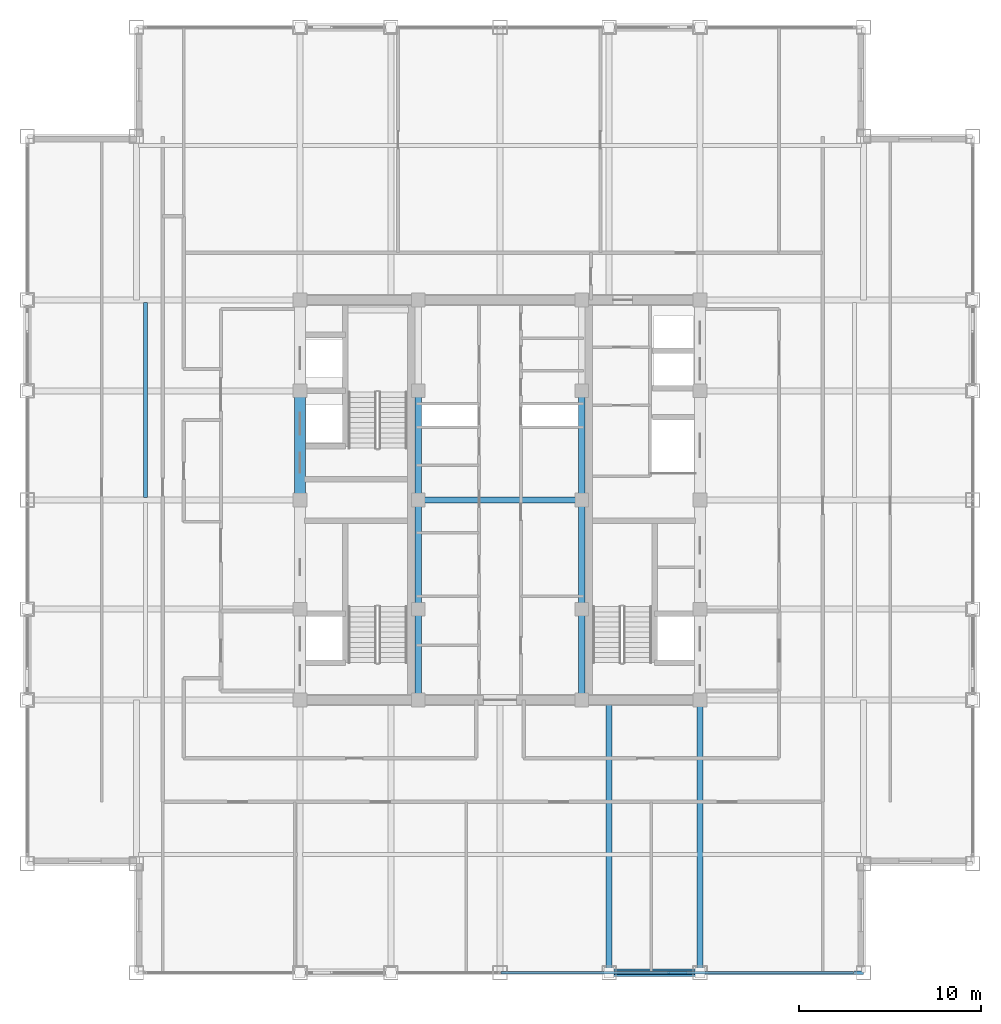
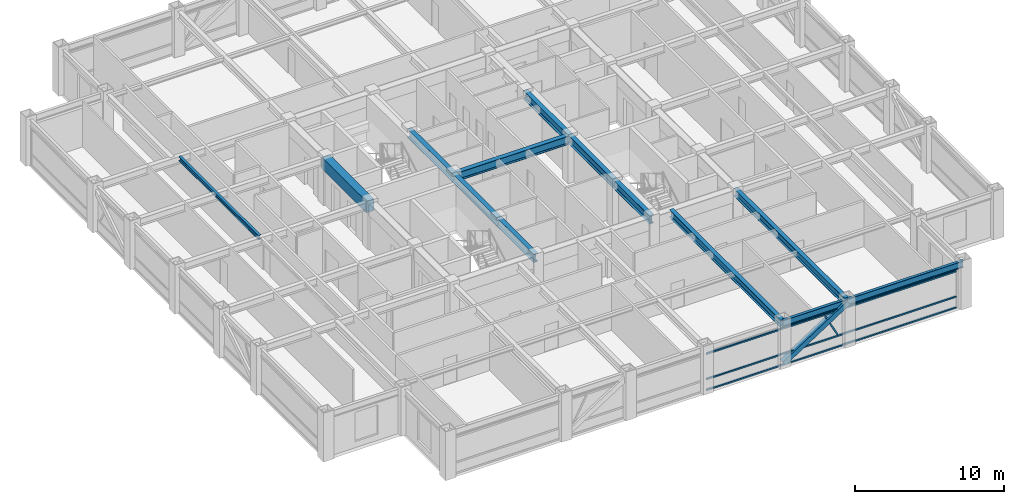
# One storey, part 7 of 28: 13 beams, 5 members, 1 element without a shape of its own.
"""IFC4 building model written with IfcOpenShell, lengths in metres."""

from ifc_helpers import new_model, si_unit, direction, frame, origin, origin_2d, place, context, subcontext, project, spatial, rectangle, hollow_rectangle, i_section, extrude, source, transform, mapped, material, material_profile, profile_set, type_object, element, aggregate, save


model = new_model("IFC4")

# Units and contexts
model_context = context("Model", 3, precision=1e-05, world=origin(), true_north=direction((0.0, 1.0)))
body_context = subcontext(model_context, "Body", "Model", "MODEL_VIEW")
ifc_project = project(units=[si_unit("LENGTHUNIT", "METRE"), si_unit("AREAUNIT", "SQUARE_METRE"), si_unit("VOLUMEUNIT", "CUBIC_METRE"), si_unit("PLANEANGLEUNIT", "RADIAN"), si_unit("MASSUNIT", "GRAM", prefix="KILO")], contexts=[model_context])

# Site, building, storey
site_placement = place(None, origin())
site = spatial("IfcSite", under=ifc_project, at=site_placement, CompositionType="ELEMENT")
building_placement = place(site_placement, origin())
building = spatial("IfcBuilding", under=site, at=building_placement, Name="Khorayat Bourse Tower", CompositionType="ELEMENT")
storey_placement = place(building_placement, frame((0.0, 0.0, 330.300048828125)))
storey = spatial("IfcBuildingStorey", under=building, at=storey_placement, Name="L78", CompositionType="ELEMENT", Elevation=330.300048828125)

# Beams
ifc_material_1 = material(Name="Steel ASTM A992 Grade 50", Category="steel")
ifc_material_profile_1 = material_profile(ifc_material_1, i_section(OverallWidth=0.35498046875, OverallDepth=0.695068359375, WebThickness=0.015380859375, FlangeThickness=0.02490234375, FilletRadius=0.01806640625, at=origin_2d()), Name="W690X217")
ifc_profile_set_1 = profile_set([ifc_material_profile_1], Name="Steel ASTM A992 Grade 50")
beam_type_1 = type_object("IfcBeamType", Name="BM-GIRD-690", PredefinedType="BEAM", material=ifc_profile_set_1)
shared_shape_1 = source(origin(), body_context, "Body", "SweptSolid", [
    extrude(i_section(OverallWidth=0.35498046875, OverallDepth=0.695068359375, WebThickness=0.015380859375, FlangeThickness=0.02490234375, FilletRadius=0.01806640625, at=origin_2d()), origin(), (0.0, 0.0, 1.0), 5.0),
])
for number, where, z_axis, x_axis, name in (
    (1, (-4.5, -11.0, 3.392333984375), (0.0, 1.0, 0.0), (-1.0, 0.0, 0.0), "L78 BM-GIRD-690 BM-L78-CRX-05"),
    (2, (4.5, -11.0, 3.392333984375), (0.0, 1.0, 0.0), (-1.0, 0.0, 0.0), "L78 BM-GIRD-690 BM-L78-CRX-09"),
):
    element("IfcBeam", number, at=place(storey_placement, frame(where, z_axis=z_axis, x_axis=x_axis)), inside=storey, type_object=beam_type_1, Name=name, PredefinedType="BEAM", context=body_context, shape_type="MappedRepresentation", body=[
        mapped(shared_shape_1, transform((0.0, 0.0, 0.0), scale=1.0)),
    ])
shared_shape_2 = source(origin(), body_context, "Body", "SweptSolid", [
    extrude(i_section(OverallWidth=0.35498046875, OverallDepth=0.695068359375, WebThickness=0.015380859375, FlangeThickness=0.02490234375, FilletRadius=0.01806640625, at=origin_2d()), origin(), (0.0, 0.0, 1.0), 6.0),
])
for number, where, z_axis, x_axis, name in (
    (3, (-4.5, -6.0, 3.392333984375), (0.0, 1.0, 0.0), (-1.0, 0.0, 0.0), "L78 BM-GIRD-690 BM-L78-CRX-06"),
    (4, (-4.5, 0.0, 3.392333984375), (0.0, 1.0, 0.0), (-1.0, 0.0, 0.0), "L78 BM-GIRD-690 BM-L78-CRX-07"),
    (5, (4.5, -6.0, 3.392333984375), (0.0, 1.0, 0.0), (-1.0, 0.0, 0.0), "L78 BM-GIRD-690 BM-L78-CRX-10"),
    (6, (4.5, 0.0, 3.392333984375), (0.0, 1.0, 0.0), (-1.0, 0.0, 0.0), "L78 BM-GIRD-690 BM-L78-CRX-11"),
):
    element("IfcBeam", number, at=place(storey_placement, frame(where, z_axis=z_axis, x_axis=x_axis)), inside=storey, type_object=beam_type_1, Name=name, PredefinedType="BEAM", context=body_context, shape_type="MappedRepresentation", body=[
        mapped(shared_shape_2, transform((0.0, 0.0, 0.0), scale=1.0)),
    ])
shared_shape_3 = source(origin(), body_context, "Body", "SweptSolid", [
    extrude(i_section(OverallWidth=0.35498046875, OverallDepth=0.695068359375, WebThickness=0.015380859375, FlangeThickness=0.02490234375, FilletRadius=0.01806640625, at=origin_2d()), origin(), (0.0, 0.0, 1.0), 9.0),
])
beam_1_placement = place(storey_placement, frame((-4.5, 0.0, 3.392333984375), z_axis=(1.0, 0.0, 0.0), x_axis=(0.0, 1.0, 0.0)))
element("IfcBeam", 7, at=beam_1_placement, inside=storey, type_object=beam_type_1, Name="L78 BM-GIRD-690 BM-L78-CRY-23", PredefinedType="BEAM", context=body_context, shape_type="MappedRepresentation", body=[
    mapped(shared_shape_3, transform((0.0, 0.0, 0.0), scale=1.0)),
])
ifc_material_2 = material(Name="Concrete C60/75", Category="concrete")
ifc_material_profile_2 = material_profile(ifc_material_2, rectangle(XDim=0.60009765625, YDim=0.949951171875, at=origin_2d()), Name="RC 600x950")
ifc_profile_set_2 = profile_set([ifc_material_profile_2], Name="Concrete C60/75")
beam_type_2 = type_object("IfcBeamType", Name="BM-COUP-950", PredefinedType="BEAM", material=ifc_profile_set_2)
shared_shape_4 = source(origin(), body_context, "Body", "SweptSolid", [
    extrude(rectangle(XDim=0.60009765625, YDim=0.949951171875, at=origin_2d()), origin(), (0.0, 0.0, 1.0), 6.0),
])
beam_2_placement = place(storey_placement, frame((-11.0, 0.0, 3.264892578125), z_axis=(0.0, 1.0, 0.0), x_axis=(-1.0, 0.0, 0.0)))
element("IfcBeam", 8, at=beam_2_placement, inside=storey, type_object=beam_type_2, Name="L78 BM-COUP-950 BM-L78-CRX-03", PredefinedType="BEAM", context=body_context, shape_type="MappedRepresentation", body=[
    mapped(shared_shape_4, transform((0.0, 0.0, 0.0), scale=1.0)),
])
ifc_material_profile_3 = material_profile(ifc_material_1, i_section(OverallWidth=0.202880859375, OverallDepth=0.346923828125, WebThickness=0.0078125, FlangeThickness=0.013427734375, FilletRadius=0.010009765625, at=origin_2d()), Name="W360X64")
ifc_profile_set_3 = profile_set([ifc_material_profile_3], Name="Steel ASTM A992 Grade 50")
beam_type_3 = type_object("IfcBeamType", Name="BM-JOIST-360", PredefinedType="JOIST", material=ifc_profile_set_3)
shared_shape_5 = source(origin(), body_context, "Body", "SweptSolid", [
    extrude(i_section(OverallWidth=0.202880859375, OverallDepth=0.346923828125, WebThickness=0.0078125, FlangeThickness=0.013427734375, FilletRadius=0.010009765625, at=origin_2d()), origin(), (0.0, 0.0, 1.0), 10.740234375),
])
beam_3_placement = place(storey_placement, frame((-19.5, 0.1298828125, 3.56640625), z_axis=(0.0, 1.0, 0.0), x_axis=(-1.0, 0.0, 0.0)))
element("IfcBeam", 9, at=beam_3_placement, inside=storey, type_object=beam_type_3, Name="L78 BM-JOIST-360 BM-L78-JSTY-087", PredefinedType="JOIST", context=body_context, shape_type="MappedRepresentation", body=[
    mapped(shared_shape_5, transform((0.0, 0.0, 0.0), scale=1.0)),
])
ifc_material_profile_4 = material_profile(ifc_material_1, i_section(OverallWidth=0.214111328125, OverallDepth=0.549072265625, WebThickness=0.0146484375, FlangeThickness=0.023681640625, FilletRadius=0.013916015625, at=origin_2d()), Name="W530X138")
ifc_profile_set_4 = profile_set([ifc_material_profile_4], Name="Steel ASTM A992 Grade 50")
beam_type_4 = type_object("IfcBeamType", Name="BM-SPAN-530", PredefinedType="SPANDREL", material=ifc_profile_set_4)
shared_shape_6 = source(origin(), body_context, "Body", "SweptSolid", [
    extrude(i_section(OverallWidth=0.214111328125, OverallDepth=0.549072265625, WebThickness=0.0146484375, FlangeThickness=0.023681640625, FilletRadius=0.013916015625, at=origin_2d()), origin(), (0.0, 0.0, 1.0), 9.0),
])
beam_4_placement = place(storey_placement, frame((11.0, -26.0, 3.46533203125), z_axis=(1.0, 0.0, 0.0), x_axis=(0.0, 1.0, 0.0)))
element("IfcBeam", 10, at=beam_4_placement, inside=storey, type_object=beam_type_4, Name="L78 BM-SPAN-530 BM-L78-SPN-029", PredefinedType="SPANDREL", context=body_context, shape_type="MappedRepresentation", body=[
    mapped(shared_shape_6, transform((0.0, 0.0, 0.0), scale=1.0)),
])
shared_shape_7 = source(origin(), body_context, "Body", "SweptSolid", [
    extrude(i_section(OverallWidth=0.214111328125, OverallDepth=0.549072265625, WebThickness=0.0146484375, FlangeThickness=0.023681640625, FilletRadius=0.013916015625, at=origin_2d()), origin(), (0.0, 0.0, 1.0), 5.0),
])
beam_5_placement = place(storey_placement, frame((6.0, -26.0, 3.46533203125), z_axis=(1.0, 0.0, 0.0), x_axis=(0.0, 1.0, 0.0)))
element("IfcBeam", 11, at=beam_5_placement, inside=storey, type_object=beam_type_4, Name="L78 BM-SPAN-530 BM-L78-SPN-028", PredefinedType="SPANDREL", context=body_context, shape_type="MappedRepresentation", body=[
    mapped(shared_shape_7, transform((0.0, 0.0, 0.0), scale=1.0)),
])
ifc_material_profile_5 = material_profile(ifc_material_1, i_section(OverallWidth=0.324951171875, OverallDepth=0.615966796875, WebThickness=0.013916015625, FlangeThickness=0.021484375, FilletRadius=0.01611328125, at=origin_2d()), Name="W610X174")
ifc_profile_set_5 = profile_set([ifc_material_profile_5], Name="Steel ASTM A992 Grade 50")
beam_type_5 = type_object("IfcBeamType", Name="BM-GIRD-610", PredefinedType="BEAM", material=ifc_profile_set_5)
shared_shape_8 = source(origin(), body_context, "Body", "SweptSolid", [
    extrude(i_section(OverallWidth=0.324951171875, OverallDepth=0.615966796875, WebThickness=0.013916015625, FlangeThickness=0.021484375, FilletRadius=0.01611328125, at=origin_2d()), origin(), (0.0, 0.0, 1.0), 15.0),
])
for number, where, z_axis, x_axis, name in (
    (12, (6.0, -26.0, 3.431884765625), (0.0, 1.0, 0.0), (-1.0, 0.0, 0.0), "L78 BM-GIRD-610 BM-L78-RADY-063"),
    (13, (11.0, -26.0, 3.431884765625), (0.0, 1.0, 0.0), (-1.0, 0.0, 0.0), "L78 BM-GIRD-610 BM-L78-RADY-065"),
):
    element("IfcBeam", number, at=place(storey_placement, frame(where, z_axis=z_axis, x_axis=x_axis)), inside=storey, type_object=beam_type_5, Name=name, PredefinedType="BEAM", context=body_context, shape_type="MappedRepresentation", body=[
        mapped(shared_shape_8, transform((0.0, 0.0, 0.0), scale=1.0)),
    ])

# Member
ifc_material_3 = material(Name="Steel EN 10025-4 S460M", Category="steel")
ifc_material_profile_6 = material_profile(ifc_material_3, hollow_rectangle(XDim=0.39990234375, YDim=0.39990234375, WallThickness=0.02197265625, at=origin_2d()), Name="HSS 400x400x22")
ifc_profile_set_6 = profile_set([ifc_material_profile_6], Name="Steel EN 10025-4 S460M")
member_type_1 = type_object("IfcMemberType", Name="MBR-TUBE-400", PredefinedType="BRACE", material=ifc_profile_set_6)
shared_shape_9 = source(origin(), body_context, "Body", "SweptSolid", [
    extrude(hollow_rectangle(XDim=0.39990234375, YDim=0.39990234375, WallThickness=0.02197265625, at=origin_2d()), origin(), (0.0, 0.0, 1.0), 5.9580078125),
])
member_1_placement = place(storey_placement, frame((6.0, -26.0, 0.25), z_axis=(0.839210474455, 0.0, 0.543806748364), x_axis=(0.0, 1.0, 0.0)))
element("IfcMember", 14, at=member_1_placement, inside=storey, type_object=member_type_1, Name="L78 Perimeter Tube Brace 02", PredefinedType="BRACE", context=body_context, shape_type="MappedRepresentation", body=[
    mapped(shared_shape_9, transform((0.0, 0.0, 0.0), scale=1.0)),
])

# Curtain wall, members
ifc_material_4 = material(Name="Aluminium EN AW-6063 T6", Category="aluminium")
curtain_wall_type = type_object("IfcCurtainWallType", Name="CW-SYS-04", PredefinedType="NOTDEFINED", material=ifc_material_4)
curtain_wall_placement = place(storey_placement, origin())
curtain_wall = element("IfcCurtainWall", 15, at=curtain_wall_placement, inside=storey, type_object=curtain_wall_type, Name="L78 Curtain Wall CW-L78-S1", PredefinedType="NOTDEFINED")
ifc_material_profile_7 = material_profile(ifc_material_4, hollow_rectangle(XDim=0.1201171875, YDim=0.1201171875, WallThickness=0.0048828125, at=origin_2d()), Name="ALU 120x120x5")
ifc_profile_set_7 = profile_set([ifc_material_profile_7], Name="Aluminium EN AW-6063 T6")
member_type_2 = type_object("IfcMemberType", Name="CWM-DIAG-120", PredefinedType="MULLION", material=ifc_profile_set_7)
shared_shape_10 = source(origin(), body_context, "Body", "SweptSolid", [
    extrude(hollow_rectangle(XDim=0.1201171875, YDim=0.1201171875, WallThickness=0.0048828125, at=origin_2d()), origin(), (0.0, 0.0, 1.0), 2.0341796875),
])
member_2_placement = place(storey_placement, frame((10.21875, -26.0, 1.08984375), z_axis=(-0.465790950955, 0.0, 0.884894790361), x_axis=(0.0, -1.0, 0.0)))
member_2 = element("IfcMember", 16, at=member_2_placement, type_object=member_type_2, Name="CW-L78-S1 Faceted Diagonal Mullion 2", PredefinedType="MULLION", context=body_context, shape_type="MappedRepresentation", body=[
    mapped(shared_shape_10, transform((0.0, 0.0, 0.0), scale=1.0)),
])
ifc_material_profile_8 = material_profile(ifc_material_4, hollow_rectangle(XDim=0.1201171875, YDim=0.1201171875, WallThickness=0.0048828125, at=origin_2d()), Name="ALU 120x120x5")
ifc_profile_set_8 = profile_set([ifc_material_profile_8], Name="Aluminium EN AW-6063 T6")
member_type_3 = type_object("IfcMemberType", Name="CWT-HORZ-120", PredefinedType="USERDEFINED", material=ifc_profile_set_8)
shared_shape_11 = source(origin(), body_context, "Body", "SweptSolid", [
    extrude(hollow_rectangle(XDim=0.1201171875, YDim=0.1201171875, WallThickness=0.0048828125, at=origin_2d()), origin(), (0.0, 0.0, 1.0), 19.369873046875),
])
member_3_placement = place(storey_placement, frame((0.06005859375, -26.0, 0.06005859375), z_axis=(1.0, 0.0, 0.0), x_axis=(0.0, 1.0, 0.0)))
member_3 = element("IfcMember", 17, at=member_3_placement, type_object=member_type_3, Name="CW-L78-S1 Horizontal Transom 2-1", ObjectType="TRANSOM", PredefinedType="USERDEFINED", context=body_context, shape_type="MappedRepresentation", body=[
    mapped(shared_shape_11, transform((0.0, 0.0, 0.0), scale=1.0)),
])
member_4_placement = place(storey_placement, frame((0.06005859375, -26.0, 0.949951171875), z_axis=(1.0, 0.0, 0.0), x_axis=(0.0, 1.0, 0.0)))
member_4 = element("IfcMember", 18, at=member_4_placement, type_object=member_type_3, Name="CW-L78-S1 Horizontal Transom 2-2", ObjectType="TRANSOM", PredefinedType="USERDEFINED", context=body_context, shape_type="MappedRepresentation", body=[
    mapped(shared_shape_11, transform((0.0, 0.0, 0.0), scale=1.0)),
])
member_5_placement = place(storey_placement, frame((0.06005859375, -26.0, 3.030029296875), z_axis=(1.0, 0.0, 0.0), x_axis=(0.0, 1.0, 0.0)))
member_5 = element("IfcMember", 19, at=member_5_placement, type_object=member_type_3, Name="CW-L78-S1 Horizontal Transom 2-3", ObjectType="TRANSOM", PredefinedType="USERDEFINED", context=body_context, shape_type="MappedRepresentation", body=[
    mapped(shared_shape_11, transform((0.0, 0.0, 0.0), scale=1.0)),
])
aggregate(curtain_wall, [member_3, member_4, member_5, member_2])

save(model, "model.ifc")
